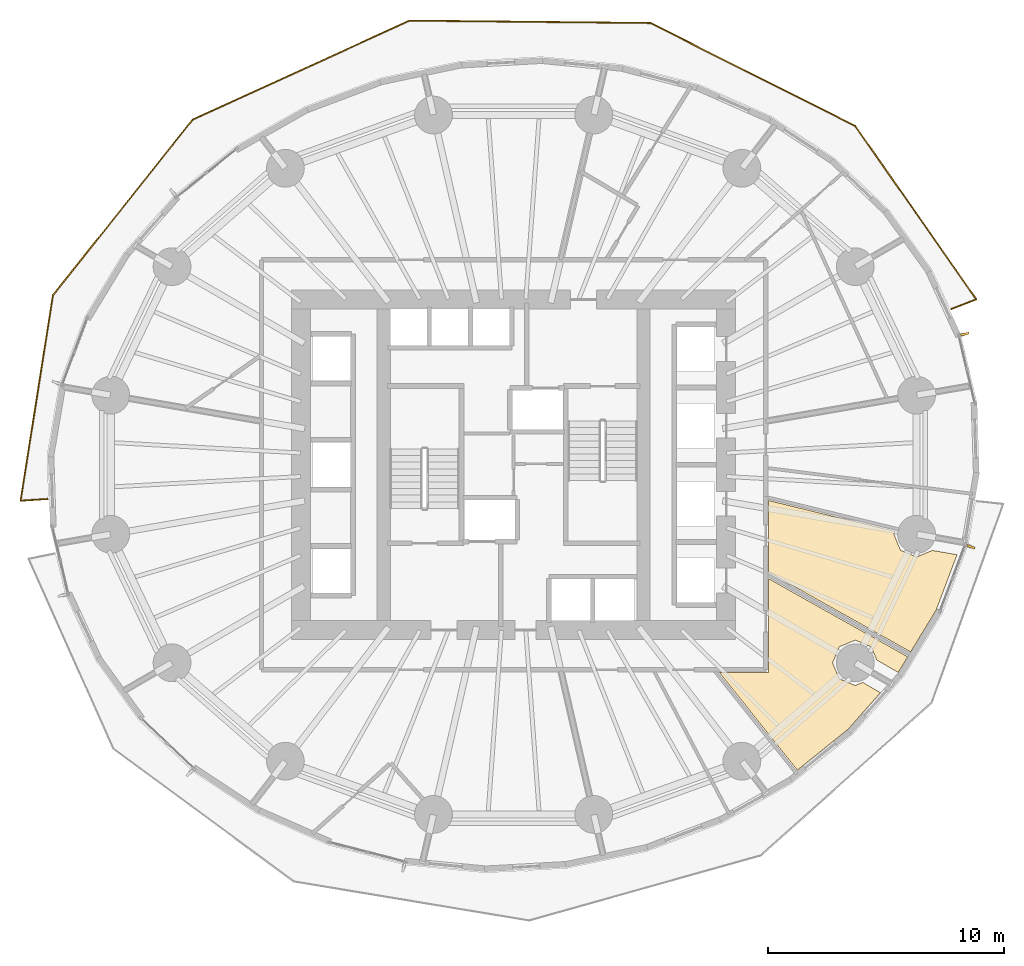
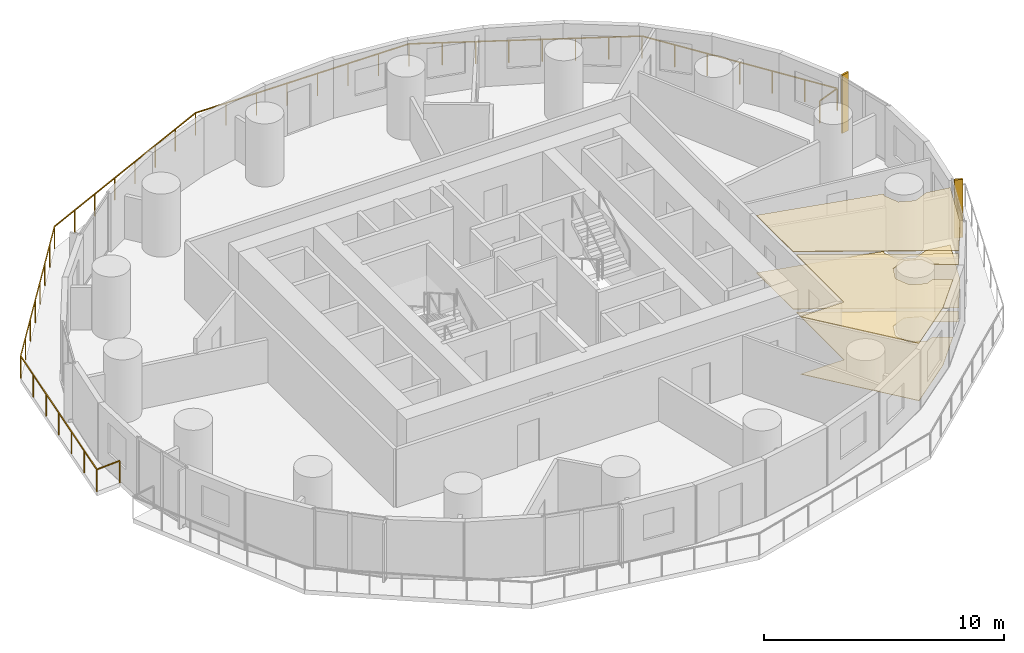
# One storey, part 14 of 14: 4 coverings, 2 shading devices, 1 railing.
"""IFC4 building model written with IfcOpenShell, lengths in metres."""

from ifc_helpers import new_model, si_unit, direction, frame, origin, origin_2d, place, context, subcontext, project, spatial, polyline, rectangle, outline, extrude, material, layer, layer_set, type_object, element, save


model = new_model("IFC4")

# Units and contexts
model_context = context("Model", 3, precision=1e-05, world=origin(), true_north=direction((0.0, 1.0)))
body_context = subcontext(model_context, "Body", "Model", "MODEL_VIEW")
ifc_project = project(units=[si_unit("LENGTHUNIT", "METRE"), si_unit("AREAUNIT", "SQUARE_METRE"), si_unit("VOLUMEUNIT", "CUBIC_METRE"), si_unit("PLANEANGLEUNIT", "RADIAN"), si_unit("MASSUNIT", "GRAM", prefix="KILO")], contexts=[model_context])

# Site, building, storey
site_placement = place(None, origin())
site = spatial("IfcSite", under=ifc_project, at=site_placement, CompositionType="ELEMENT")
building_placement = place(site_placement, origin())
building = spatial("IfcBuilding", under=site, at=building_placement, Name="Veldorim Arch Residences", CompositionType="ELEMENT")
storey_placement = place(building_placement, frame((0.0, 0.0, 37.60009765625)))
storey = spatial("IfcBuildingStorey", under=building, at=storey_placement, Name="L10", CompositionType="ELEMENT", Elevation=37.60009765625)

# Railing
ifc_material_1 = material(Name="Aluminium", Category="aluminium")
railing_type = type_object("IfcRailingType", Name="Balcony & Terrace Laminated Glass Balustrade 1150", PredefinedType="BALUSTRADE", material=ifc_material_1)
railing_placement = place(storey_placement, frame((50.525390625, 30.588134765625, 0.0)))
element("IfcRailing", 1, at=railing_placement, inside=storey, type_object=railing_type, Name="L10 crescent balcony safety balustrade A", PredefinedType="BALUSTRADE", context=body_context, shape_type="SweptSolid", body=[
    extrude(rectangle(XDim=0.048095703125, YDim=0.048095703125, at=origin_2d()), frame((0.0, 0.0, 1.1259765625), z_axis=(0.931433736777, 0.363910969874, 0.0), x_axis=(-0.363910969874, 0.931433736777, 0.0)), (0.0, 0.0, 1.0), 1.14990234375),
    extrude(rectangle(XDim=0.048095703125, YDim=0.048095703125, at=origin_2d()), frame((1.071044921875, 0.41845703125, 1.1259765625), z_axis=(-0.572673819905, 0.819783322589, 0.0), x_axis=(-0.819783322589, -0.572673819905, 0.0)), (0.0, 0.0, 1.0), 8.958984375),
    extrude(rectangle(XDim=0.048095703125, YDim=0.048095703125, at=origin_2d()), frame((-4.0595703125, 7.762939453125, 1.1259765625), z_axis=(-0.893514947869, 0.449033448569, 0.0), x_axis=(-0.449033448569, -0.893514947869, 0.0)), (0.0, 0.0, 1.0), 9.707763671875),
    extrude(rectangle(XDim=0.048095703125, YDim=0.048095703125, at=origin_2d()), frame((-12.733642578125, 12.1220703125, 1.1259765625), z_axis=(-0.999950400353, 0.009959760728, 0.0), x_axis=(-0.009959760728, -0.999950400353, 0.0)), (0.0, 0.0, 1.0), 10.197265625),
    extrude(rectangle(XDim=0.048095703125, YDim=0.048095703125, at=origin_2d()), frame((-22.930419921875, 12.2236328125, 1.1259765625), z_axis=(-0.909674311993, -0.415322339995, 0.0), x_axis=(0.415322339995, -0.909674311993, 0.0)), (0.0, 0.0, 1.0), 10.10498046875),
    extrude(rectangle(XDim=0.048095703125, YDim=0.048095703125, at=origin_2d()), frame((-32.12255859375, 8.02685546875, 1.1259765625), z_axis=(-0.622684493297, -0.782473016664, 0.0), x_axis=(0.782473016664, -0.622684493297, 0.0)), (0.0, 0.0, 1.0), 9.501953125),
    extrude(rectangle(XDim=0.048095703125, YDim=0.048095703125, at=origin_2d()), frame((-38.039306640625, 0.591796875, 1.1259765625), z_axis=(-0.155384980958, -0.98785399108, 0.0), x_axis=(0.98785399108, -0.155384980958, 0.0)), (0.0, 0.0, 1.0), 8.812744140625),
    extrude(rectangle(XDim=0.048095703125, YDim=0.048095703125, at=origin_2d()), frame((-39.40869140625, -8.114013671875, 1.1259765625), z_axis=(0.997929266712, 0.064320903598, 0.0), x_axis=(-0.064320903598, 0.997929266712, 0.0)), (0.0, 0.0, 1.0), 1.150146484375),
    extrude(rectangle(XDim=0.0419921875, YDim=0.0419921875, at=origin_2d()), origin(), (0.0, 0.0, 1.0), 1.101806640625),
    extrude(rectangle(XDim=0.0419921875, YDim=0.0419921875, at=origin_2d()), frame((1.071044921875, 0.41845703125, 0.0)), (0.0, 0.0, 1.0), 1.101806640625),
    extrude(rectangle(XDim=0.0419921875, YDim=0.0419921875, at=origin_2d()), frame((0.2158203125, 1.642578125, 0.0)), (0.0, 0.0, 1.0), 1.101806640625),
    extrude(rectangle(XDim=0.0419921875, YDim=0.0419921875, at=origin_2d()), frame((-0.63916015625, 2.86669921875, 0.0)), (0.0, 0.0, 1.0), 1.101806640625),
    extrude(rectangle(XDim=0.0419921875, YDim=0.0419921875, at=origin_2d()), frame((-1.494140625, 4.0908203125, 0.0)), (0.0, 0.0, 1.0), 1.101806640625),
    extrude(rectangle(XDim=0.0419921875, YDim=0.0419921875, at=origin_2d()), frame((-2.349365234375, 5.314697265625, 0.0)), (0.0, 0.0, 1.0), 1.101806640625),
    extrude(rectangle(XDim=0.0419921875, YDim=0.0419921875, at=origin_2d()), frame((-3.20458984375, 6.538818359375, 0.0)), (0.0, 0.0, 1.0), 1.101806640625),
    extrude(rectangle(XDim=0.0419921875, YDim=0.0419921875, at=origin_2d()), frame((-4.0595703125, 7.762939453125, 0.0)), (0.0, 0.0, 1.0), 1.101806640625),
    extrude(rectangle(XDim=0.0419921875, YDim=0.0419921875, at=origin_2d()), frame((-5.298828125, 8.3857421875, 0.0)), (0.0, 0.0, 1.0), 1.101806640625),
    extrude(rectangle(XDim=0.0419921875, YDim=0.0419921875, at=origin_2d()), frame((-6.537841796875, 9.00830078125, 0.0)), (0.0, 0.0, 1.0), 1.101806640625),
    extrude(rectangle(XDim=0.0419921875, YDim=0.0419921875, at=origin_2d()), frame((-7.777099609375, 9.631103515625, 0.0)), (0.0, 0.0, 1.0), 1.101806640625),
    extrude(rectangle(XDim=0.0419921875, YDim=0.0419921875, at=origin_2d()), frame((-9.01611328125, 10.25390625, 0.0)), (0.0, 0.0, 1.0), 1.101806640625),
    extrude(rectangle(XDim=0.0419921875, YDim=0.0419921875, at=origin_2d()), frame((-10.25537109375, 10.876708984375, 0.0)), (0.0, 0.0, 1.0), 1.101806640625),
    extrude(rectangle(XDim=0.0419921875, YDim=0.0419921875, at=origin_2d()), frame((-11.494384765625, 11.499267578125, 0.0)), (0.0, 0.0, 1.0), 1.101806640625),
    extrude(rectangle(XDim=0.0419921875, YDim=0.0419921875, at=origin_2d()), frame((-12.733642578125, 12.1220703125, 0.0)), (0.0, 0.0, 1.0), 1.101806640625),
    extrude(rectangle(XDim=0.0419921875, YDim=0.0419921875, at=origin_2d()), frame((-14.1904296875, 12.136474609375, 0.0)), (0.0, 0.0, 1.0), 1.101806640625),
    extrude(rectangle(XDim=0.0419921875, YDim=0.0419921875, at=origin_2d()), frame((-15.64697265625, 12.151123046875, 0.0)), (0.0, 0.0, 1.0), 1.101806640625),
    extrude(rectangle(XDim=0.0419921875, YDim=0.0419921875, at=origin_2d()), frame((-17.103759765625, 12.16552734375, 0.0)), (0.0, 0.0, 1.0), 1.101806640625),
    extrude(rectangle(XDim=0.0419921875, YDim=0.0419921875, at=origin_2d()), frame((-18.560302734375, 12.18017578125, 0.0)), (0.0, 0.0, 1.0), 1.101806640625),
    extrude(rectangle(XDim=0.0419921875, YDim=0.0419921875, at=origin_2d()), frame((-20.01708984375, 12.194580078125, 0.0)), (0.0, 0.0, 1.0), 1.101806640625),
    extrude(rectangle(XDim=0.0419921875, YDim=0.0419921875, at=origin_2d()), frame((-21.4736328125, 12.209228515625, 0.0)), (0.0, 0.0, 1.0), 1.101806640625),
    extrude(rectangle(XDim=0.0419921875, YDim=0.0419921875, at=origin_2d()), frame((-22.930419921875, 12.2236328125, 0.0)), (0.0, 0.0, 1.0), 1.101806640625),
    extrude(rectangle(XDim=0.0419921875, YDim=0.0419921875, at=origin_2d()), frame((-24.24365234375, 11.6240234375, 0.0)), (0.0, 0.0, 1.0), 1.101806640625),
    extrude(rectangle(XDim=0.0419921875, YDim=0.0419921875, at=origin_2d()), frame((-25.556640625, 11.024658203125, 0.0)), (0.0, 0.0, 1.0), 1.101806640625),
    extrude(rectangle(XDim=0.0419921875, YDim=0.0419921875, at=origin_2d()), frame((-26.869873046875, 10.425048828125, 0.0)), (0.0, 0.0, 1.0), 1.101806640625),
    extrude(rectangle(XDim=0.0419921875, YDim=0.0419921875, at=origin_2d()), frame((-28.18310546875, 9.825439453125, 0.0)), (0.0, 0.0, 1.0), 1.101806640625),
    extrude(rectangle(XDim=0.0419921875, YDim=0.0419921875, at=origin_2d()), frame((-29.496337890625, 9.225830078125, 0.0)), (0.0, 0.0, 1.0), 1.101806640625),
    extrude(rectangle(XDim=0.0419921875, YDim=0.0419921875, at=origin_2d()), frame((-30.809326171875, 8.62646484375, 0.0)), (0.0, 0.0, 1.0), 1.101806640625),
    extrude(rectangle(XDim=0.0419921875, YDim=0.0419921875, at=origin_2d()), frame((-32.12255859375, 8.02685546875, 0.0)), (0.0, 0.0, 1.0), 1.101806640625),
    extrude(rectangle(XDim=0.0419921875, YDim=0.0419921875, at=origin_2d()), frame((-32.9677734375, 6.964599609375, 0.0)), (0.0, 0.0, 1.0), 1.101806640625),
    extrude(rectangle(XDim=0.0419921875, YDim=0.0419921875, at=origin_2d()), frame((-33.81298828125, 5.902587890625, 0.0)), (0.0, 0.0, 1.0), 1.101806640625),
    extrude(rectangle(XDim=0.0419921875, YDim=0.0419921875, at=origin_2d()), frame((-34.658203125, 4.84033203125, 0.0)), (0.0, 0.0, 1.0), 1.101806640625),
    extrude(rectangle(XDim=0.0419921875, YDim=0.0419921875, at=origin_2d()), frame((-35.503662109375, 3.7783203125, 0.0)), (0.0, 0.0, 1.0), 1.101806640625),
    extrude(rectangle(XDim=0.0419921875, YDim=0.0419921875, at=origin_2d()), frame((-36.348876953125, 2.716064453125, 0.0)), (0.0, 0.0, 1.0), 1.101806640625),
    extrude(rectangle(XDim=0.0419921875, YDim=0.0419921875, at=origin_2d()), frame((-37.194091796875, 1.654052734375, 0.0)), (0.0, 0.0, 1.0), 1.101806640625),
    extrude(rectangle(XDim=0.0419921875, YDim=0.0419921875, at=origin_2d()), frame((-38.039306640625, 0.591796875, 0.0)), (0.0, 0.0, 1.0), 1.101806640625),
    extrude(rectangle(XDim=0.0419921875, YDim=0.0419921875, at=origin_2d()), frame((-38.267578125, -0.859130859375, 0.0)), (0.0, 0.0, 1.0), 1.101806640625),
    extrude(rectangle(XDim=0.0419921875, YDim=0.0419921875, at=origin_2d()), frame((-38.495849609375, -2.31005859375, 0.0)), (0.0, 0.0, 1.0), 1.101806640625),
    extrude(rectangle(XDim=0.0419921875, YDim=0.0419921875, at=origin_2d()), frame((-38.72412109375, -3.76123046875, 0.0)), (0.0, 0.0, 1.0), 1.101806640625),
    extrude(rectangle(XDim=0.0419921875, YDim=0.0419921875, at=origin_2d()), frame((-38.9521484375, -5.212158203125, 0.0)), (0.0, 0.0, 1.0), 1.101806640625),
    extrude(rectangle(XDim=0.0419921875, YDim=0.0419921875, at=origin_2d()), frame((-39.180419921875, -6.6630859375, 0.0)), (0.0, 0.0, 1.0), 1.101806640625),
    extrude(rectangle(XDim=0.0419921875, YDim=0.0419921875, at=origin_2d()), frame((-39.40869140625, -8.114013671875, 0.0)), (0.0, 0.0, 1.0), 1.101806640625),
    extrude(rectangle(XDim=0.0419921875, YDim=0.0419921875, at=origin_2d()), frame((-38.260986328125, -8.0400390625, 0.0)), (0.0, 0.0, 1.0), 1.101806640625),
])

# Coverings
ifc_material_2 = material(Name="Acoustic Gypsum & Mineral Fibre", Category="gypsum")
ifc_layer_1 = layer(ifc_material_2, 0.034912109375, Name="Perforated Acoustic Mineral-Fibre Ceiling 35")
ifc_layer_set_1 = layer_set([ifc_layer_1], Name="Acoustic Gypsum & Mineral Fibre")
covering_type_1 = type_object("IfcCoveringType", Name="Perforated Acoustic Mineral-Fibre Ceiling 35", PredefinedType="CEILING", material=ifc_layer_set_1)
covering_1_placement = place(storey_placement, frame((0.0, 0.0, 2.90478515625)))
element("IfcCovering", 2, at=covering_1_placement, inside=storey, type_object=covering_type_1, Name="L10 acoustic suspended ceiling 01", PredefinedType="CEILING", context=body_context, shape_type="SweptSolid", body=[
    extrude(outline(polyline([(49.065673828125, 20.09423828125), (49.73291015625, 20.37060546875), (50.779296875, 20.18994140625), (49.89501953125, 17.84521484375), (48.8154296875, 16.070556640625), (42.800048828125, 19.44873046875), (42.800048828125, 22.48291015625), (48.157470703125, 21.178955078125), (48.105712890625, 21.05419921875), (48.386962890625, 20.37548828125), (49.065673828125, 20.09423828125)])), origin(), (0.0, 0.0, 1.0), 0.03515625),
])
covering_2_placement = place(storey_placement, frame((0.0, 0.0, 2.90478515625)))
element("IfcCovering", 3, at=covering_2_placement, inside=storey, type_object=covering_type_1, Name="L10 acoustic suspended ceiling 02", PredefinedType="CEILING", context=body_context, shape_type="SweptSolid", body=[
    extrude(outline(polyline([(47.146240234375, 16.28955078125), (46.467529296875, 16.57080078125), (45.788818359375, 16.28955078125), (45.5078125, 15.61083984375), (45.788818359375, 14.93212890625), (46.467529296875, 14.65087890625), (46.781982421875, 14.78125), (47.53369140625, 14.345458984375), (46.169921875, 12.801513671875), (44.016357421875, 11.06591796875), (40.71533203125, 15.199951171875), (42.800048828125, 15.199951171875), (42.800048828125, 19.173583984375), (48.690673828125, 15.865478515625), (48.28759765625, 15.202880859375), (47.3779296875, 15.730224609375), (47.146240234375, 16.28955078125)])), origin(), (0.0, 0.0, 1.0), 0.03515625),
])
ifc_material_3 = material(Name="Porcelain Ceramic Tile", Category="ceramic")
ifc_layer_2 = layer(ifc_material_3, 0.02001953125, Name="Slip-Resistant Porcelain & Vinyl Floor Finish 20")
ifc_layer_set_2 = layer_set([ifc_layer_2], Name="Porcelain Ceramic Tile")
covering_type_2 = type_object("IfcCoveringType", Name="Slip-Resistant Porcelain & Vinyl Floor Finish 20", PredefinedType="FLOORING", material=ifc_layer_set_2)
covering_3_placement = place(storey_placement, origin())
element("IfcCovering", 4, at=covering_3_placement, inside=storey, type_object=covering_type_2, Name="L10 porcelain floor finish 01", PredefinedType="FLOORING", context=body_context, shape_type="SweptSolid", body=[
    extrude(outline(polyline([(49.065673828125, 20.09423828125), (49.73291015625, 20.37060546875), (50.779296875, 20.18994140625), (49.89501953125, 17.84521484375), (48.8154296875, 16.070556640625), (42.800048828125, 19.44873046875), (42.800048828125, 22.48291015625), (48.157470703125, 21.178955078125), (48.105712890625, 21.05419921875), (48.386962890625, 20.37548828125), (49.065673828125, 20.09423828125)])), origin(), (0.0, 0.0, 1.0), 0.02001953125),
])
covering_4_placement = place(storey_placement, origin())
element("IfcCovering", 5, at=covering_4_placement, inside=storey, type_object=covering_type_2, Name="L10 porcelain floor finish 02", PredefinedType="FLOORING", context=body_context, shape_type="SweptSolid", body=[
    extrude(outline(polyline([(47.146240234375, 16.28955078125), (46.467529296875, 16.57080078125), (45.788818359375, 16.28955078125), (45.5078125, 15.61083984375), (45.788818359375, 14.93212890625), (46.467529296875, 14.65087890625), (46.781982421875, 14.78125), (47.53369140625, 14.345458984375), (46.169921875, 12.801513671875), (44.016357421875, 11.06591796875), (40.71533203125, 15.199951171875), (42.800048828125, 15.199951171875), (42.800048828125, 19.173583984375), (48.690673828125, 15.865478515625), (48.28759765625, 15.202880859375), (47.3779296875, 15.730224609375), (47.146240234375, 16.28955078125)])), origin(), (0.0, 0.0, 1.0), 0.02001953125),
])

# Shading devices
ifc_material_4 = material(Name="Terracotta Ceramic", Category="masonry")
ifc_layer_3 = layer(ifc_material_4, 0.090087890625, Name="Vertical Extruded Terracotta Baguette Sun-Shading Fin")
ifc_layer_set_3 = layer_set([ifc_layer_3], Name="Terracotta Ceramic")
shading_device_type = type_object("IfcShadingDeviceType", Name="Vertical Extruded Terracotta Baguette Sun-Shading Fin", PredefinedType="USERDEFINED", material=ifc_layer_set_3)
for number, where, z_axis, x_axis, name in (
    (6, (51.112060546875, 29.5341796875, 0.0), (0.0, 0.0, 1.0), (0.230219585439, -0.973138706701, 0.0), "L10 vertical terracotta sun-shading fin 01"),
    (7, (51.367919921875, 20.525146484375, 0.0), (0.0, 0.0, 1.0), (-0.352984997999, -0.935628981588, 0.0), "L10 vertical terracotta sun-shading fin 34"),
):
    element("IfcShadingDevice", number, at=place(storey_placement, frame(where, z_axis=z_axis, x_axis=x_axis)), inside=storey, type_object=shading_device_type, Name=name, ObjectType="FIN", PredefinedType="USERDEFINED", context=body_context, shape_type="SweptSolid", body=[
        extrude(rectangle(XDim=0.090087890625, YDim=0.360107421875, at=origin_2d()), origin(), (0.0, 0.0, 1.0), 2.9599609375),
    ])

save(model, "model.ifc")
